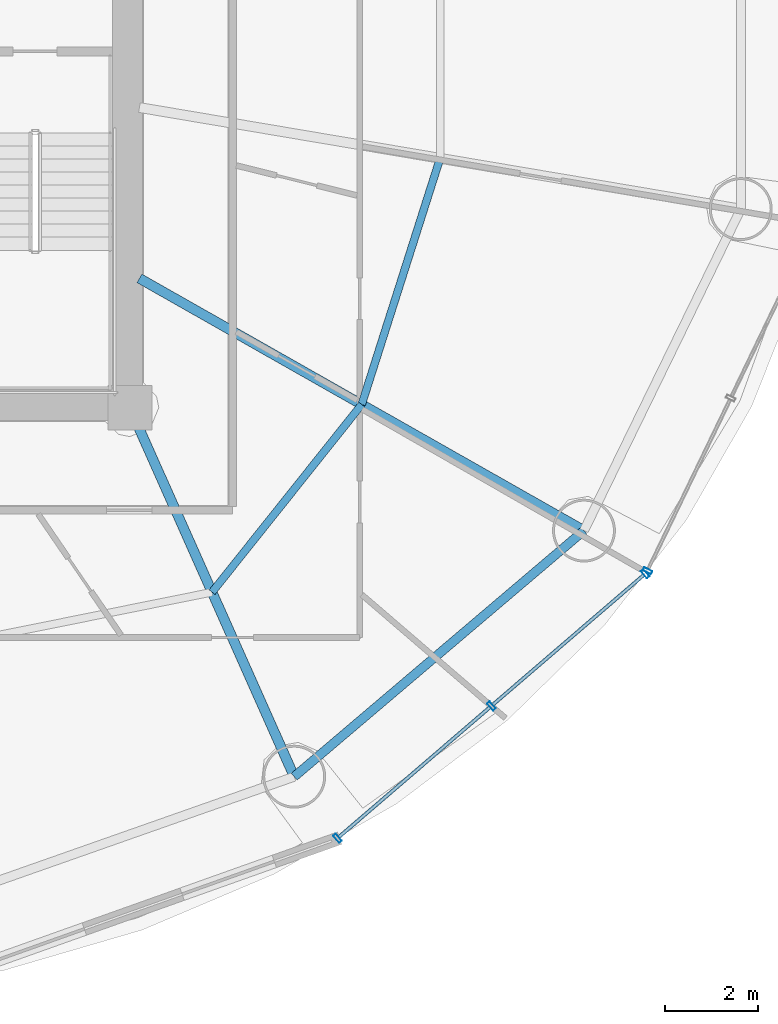
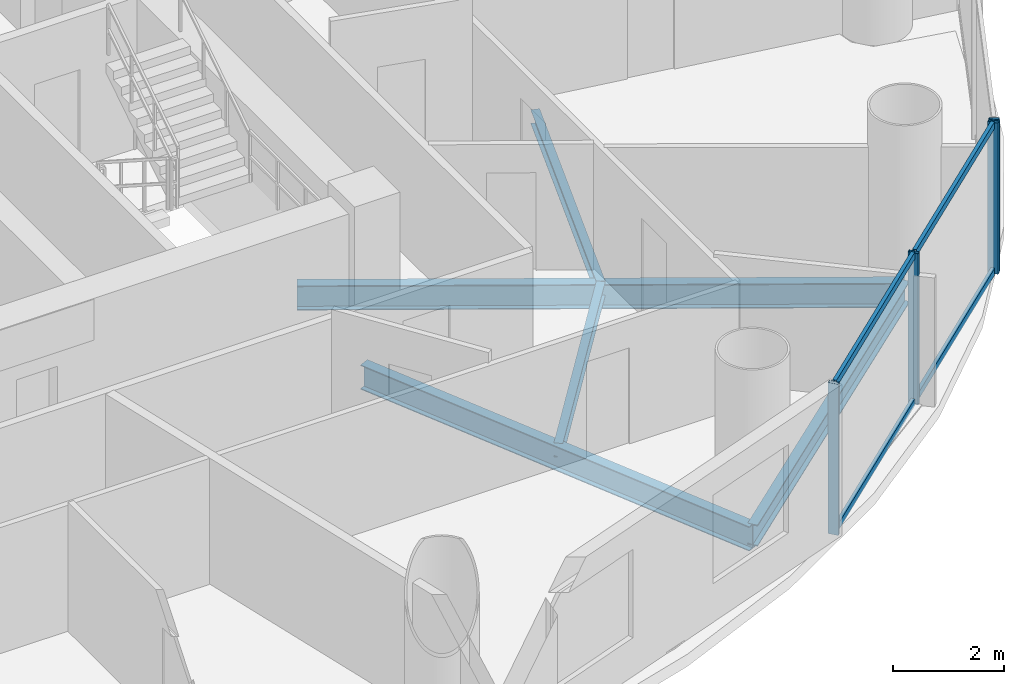
# One storey, part 10 of 26: 8 members, 5 beams, 2 elements without a shape of their own.
"""IFC4 building model written with IfcOpenShell, lengths in metres."""

from ifc_helpers import new_model, si_unit, direction, frame, origin, origin_2d, place, context, subcontext, project, spatial, hollow_rectangle, i_section, extrude, source, transform, mapped, material, material_profile, profile_set, type_object, element, aggregate, save


model = new_model("IFC4")

# Units and contexts
model_context = context("Model", 3, precision=1e-05, world=origin(), true_north=direction((-0.2419218956, 0.970295726276)))
body_context = subcontext(model_context, "Body", "Model", "MODEL_VIEW")
ifc_project = project(units=[si_unit("LENGTHUNIT", "METRE"), si_unit("AREAUNIT", "SQUARE_METRE"), si_unit("VOLUMEUNIT", "CUBIC_METRE"), si_unit("PLANEANGLEUNIT", "RADIAN"), si_unit("MASSUNIT", "GRAM", prefix="KILO")], contexts=[model_context])

# Site, building, storey
site_placement = place(None, origin())
site = spatial("IfcSite", under=ifc_project, at=site_placement, CompositionType="ELEMENT")
building_placement = place(site_placement, origin())
building = spatial("IfcBuilding", under=site, at=building_placement, Name="Cobrevalo Terracotta Tower", CompositionType="ELEMENT")
storey_placement = place(building_placement, frame((0.0, 0.0, 139.0)))
storey = spatial("IfcBuildingStorey", under=building, at=storey_placement, Name="L36", CompositionType="ELEMENT", Elevation=139.0)

# Beams
ifc_material_1 = material(Name="Steel S355", Category="steel")
ifc_material_profile_1 = material_profile(ifc_material_1, i_section(OverallWidth=0.2109375, OverallDepth=0.5390625, WebThickness=0.01171875, FlangeThickness=0.018798828125, at=origin_2d()), Name="W 530x109")
ifc_profile_set_1 = profile_set([ifc_material_profile_1], Name="Steel S355")
beam_type_1 = type_object("IfcBeamType", Name="Structural Beam W 530x109 (Steel S355)", PredefinedType="BEAM", material=ifc_profile_set_1)
beam_1_placement = place(storey_placement, frame((50.528076171875, 10.87744140625, -0.53955078125), z_axis=(-0.406804395691, 0.913515289224, 0.0), x_axis=(-0.913515289224, -0.406804395691, 0.0)))
element("IfcBeam", 1, at=beam_1_placement, inside=storey, type_object=beam_type_1, Name="L36 radial floor girder 14", PredefinedType="BEAM", context=body_context, shape_type="SweptSolid", body=[
    extrude(i_section(OverallWidth=0.2109375, OverallDepth=0.5390625, WebThickness=0.01171875, FlangeThickness=0.018798828125, at=origin_2d()), origin(), (0.0, 0.0, 1.0), 8.672607421875),
])
beam_2_placement = place(storey_placement, frame((56.749755859375, 16.160888671875, -0.53955078125), z_axis=(-0.869743726706, 0.493503647257, 0.0), x_axis=(-0.493503647257, -0.869743726706, 0.0)))
element("IfcBeam", 2, at=beam_2_placement, inside=storey, type_object=beam_type_1, Name="L36 radial floor girder 15", PredefinedType="BEAM", context=body_context, shape_type="SweptSolid", body=[
    extrude(i_section(OverallWidth=0.2109375, OverallDepth=0.5390625, WebThickness=0.01171875, FlangeThickness=0.018798828125, at=origin_2d()), origin(), (0.0, 0.0, 1.0), 10.97412109375),
])
ifc_material_profile_2 = material_profile(ifc_material_1, i_section(OverallWidth=0.1650390625, OverallDepth=0.31005859375, WebThickness=0.005859375, FlangeThickness=0.009765625, at=origin_2d()), Name="W 310x38.7")
ifc_profile_set_2 = profile_set([ifc_material_profile_2], Name="Steel S355")
beam_type_2 = type_object("IfcBeamType", Name="Structural Joist W 310x38.7 (Steel S355)", PredefinedType="JOIST", material=ifc_profile_set_2)
beam_3_placement = place(storey_placement, frame((48.76416015625, 14.838623046875, -0.425048828125), z_axis=(0.623382939397, 0.781916690492, 0.0), x_axis=(-0.781916690492, 0.623382939397, 0.0)))
element("IfcBeam", 3, at=beam_3_placement, inside=storey, type_object=beam_type_2, Name="L36 circumferential secondary floor joist 14", PredefinedType="JOIST", context=body_context, shape_type="SweptSolid", body=[
    extrude(i_section(OverallWidth=0.1650390625, OverallDepth=0.31005859375, WebThickness=0.005859375, FlangeThickness=0.009765625, at=origin_2d()), origin(), (0.0, 0.0, 1.0), 5.154296875),
])
beam_4_placement = place(storey_placement, frame((51.977294921875, 18.868896484375, -0.425048828125), z_axis=(0.303497928386, 0.952832098255, 0.0), x_axis=(-0.952832098255, 0.303497928386, 0.0)))
element("IfcBeam", 4, at=beam_4_placement, inside=storey, type_object=beam_type_2, Name="L36 circumferential secondary floor joist 15", PredefinedType="JOIST", context=body_context, shape_type="SweptSolid", body=[
    extrude(i_section(OverallWidth=0.1650390625, OverallDepth=0.31005859375, WebThickness=0.005859375, FlangeThickness=0.009765625, at=origin_2d()), origin(), (0.0, 0.0, 1.0), 5.54736328125),
])
ifc_material_profile_3 = material_profile(ifc_material_1, i_section(OverallWidth=0.194091796875, OverallDepth=0.468994140625, WebThickness=0.011474609375, FlangeThickness=0.0205078125, at=origin_2d()), Name="W 460x106")
ifc_profile_set_3 = profile_set([ifc_material_profile_3], Name="Steel S355")
beam_type_3 = type_object("IfcBeamType", Name="Structural Spandrel W 460x106 (Steel S355)", PredefinedType="SPANDREL", material=ifc_profile_set_3)
beam_5_placement = place(storey_placement, frame((50.528076171875, 10.87744140625, -0.50439453125), z_axis=(0.762240337798, 0.647294112003, 0.0), x_axis=(-0.647294112003, 0.762240337798, 0.0)))
element("IfcBeam", 5, at=beam_5_placement, inside=storey, type_object=beam_type_3, Name="L36 perimeter ring spandrel 14", PredefinedType="SPANDREL", context=body_context, shape_type="SweptSolid", body=[
    extrude(i_section(OverallWidth=0.194091796875, OverallDepth=0.468994140625, WebThickness=0.011474609375, FlangeThickness=0.0205078125, at=origin_2d()), origin(), (0.0, 0.0, 1.0), 8.162353515625),
])

# Curtain wall, members
ifc_material_2 = material(Name="Anodized aluminium", Category="aluminium")
curtain_wall_type = type_object("IfcCurtainWallType", Name="Mid-tower high-wind unitised curtain wall CW-U2", PredefinedType="NOTDEFINED", material=ifc_material_2)
curtain_wall_1_placement = place(storey_placement, origin())
curtain_wall_1 = element("IfcCurtainWall", 6, at=curtain_wall_1_placement, inside=storey, type_object=curtain_wall_type, Name="L36 curtain wall CW-L36-S14", PredefinedType="NOTDEFINED")
ifc_material_profile_4 = material_profile(ifc_material_2, hollow_rectangle(XDim=0.074951171875, YDim=0.199951171875, WallThickness=0.0048828125, at=origin_2d()), Name="CWM 75x200")
ifc_profile_set_4 = profile_set([ifc_material_profile_4], Name="Anodized aluminium")
member_type_1 = type_object("IfcMemberType", Name="Lower/mid tower unitised mullion 75x200", PredefinedType="MULLION", material=ifc_profile_set_4)
shared_shape_1 = source(origin(), body_context, "Body", "SweptSolid", [
    extrude(hollow_rectangle(XDim=0.074951171875, YDim=0.199951171875, WallThickness=0.0048828125, at=origin_2d()), origin(), (0.0, 0.0, 1.0), 3.330078125),
])
member_1_placement = place(storey_placement, frame((51.45849609375, 9.556396484375, 0.0), z_axis=(0.0, 0.0, 1.0), x_axis=(0.758441546142, 0.65174106905, 0.0)))
member_1 = element("IfcMember", 7, at=member_1_placement, type_object=member_type_1, Name="CW-L36-S14 vertical mullion 01", PredefinedType="MULLION", context=body_context, shape_type="MappedRepresentation", body=[
    mapped(shared_shape_1, transform((0.0, 0.0, 0.0), scale=1.0)),
])
member_2_placement = place(storey_placement, frame((54.762451171875, 12.3955078125, 0.0), z_axis=(0.0, 0.0, 1.0), x_axis=(0.758441546142, 0.65174106905, 0.0)))
member_2 = element("IfcMember", 8, at=member_2_placement, type_object=member_type_1, Name="CW-L36-S14 vertical mullion 02", PredefinedType="MULLION", context=body_context, shape_type="MappedRepresentation", body=[
    mapped(shared_shape_1, transform((0.0, 0.0, 0.0), scale=1.0)),
])
member_3_placement = place(storey_placement, frame((58.066162109375, 15.234619140625, 0.0), z_axis=(0.0, 0.0, 1.0), x_axis=(0.758441546142, 0.65174106905, 0.0)))
member_3 = element("IfcMember", 9, at=member_3_placement, type_object=member_type_1, Name="CW-L36-S14 vertical mullion 03", PredefinedType="MULLION", context=body_context, shape_type="MappedRepresentation", body=[
    mapped(shared_shape_1, transform((0.0, 0.0, 0.0), scale=1.0)),
])

# Curtain wall, member
curtain_wall_2_placement = place(storey_placement, origin())
curtain_wall_2 = element("IfcCurtainWall", 10, at=curtain_wall_2_placement, inside=storey, type_object=curtain_wall_type, Name="L36 curtain wall CW-L36-S15", PredefinedType="NOTDEFINED")
member_4_placement = place(storey_placement, frame((58.114013671875, 15.296875, 0.0), z_axis=(0.0, 0.0, 1.0), x_axis=(0.434209440271, 0.900811945957, 0.0)))
member_4 = element("IfcMember", 11, at=member_4_placement, type_object=member_type_1, Name="CW-L36-S15 vertical mullion 01", PredefinedType="MULLION", context=body_context, shape_type="MappedRepresentation", body=[
    mapped(shared_shape_1, transform((0.0, 0.0, 0.0), scale=1.0)),
])
aggregate(curtain_wall_2, [member_4])

# Member
ifc_material_profile_5 = material_profile(ifc_material_2, hollow_rectangle(XDim=0.074951171875, YDim=0.14990234375, WallThickness=0.00439453125, at=origin_2d()), Name="CWT 75x150")
ifc_profile_set_5 = profile_set([ifc_material_profile_5], Name="Anodized aluminium")
member_type_2 = type_object("IfcMemberType", Name="Tower unitised aluminium transom 75x150", PredefinedType="USERDEFINED", material=ifc_profile_set_5)
shared_shape_2 = source(origin(), body_context, "Body", "SweptSolid", [
    extrude(hollow_rectangle(XDim=0.074951171875, YDim=0.14990234375, WallThickness=0.00439453125, at=origin_2d()), origin(), (0.0, 0.0, 1.0), 4.276123046875),
])
member_5_placement = place(storey_placement, frame((51.48876953125, 9.58251953125, 0.050048828125), z_axis=(0.758417719247, 0.651768795764, 0.0), x_axis=(-0.651768795764, 0.758417719247, 0.0)))
member_5 = element("IfcMember", 12, at=member_5_placement, type_object=member_type_2, Name="CW-L36-S14 transom B01-T1", ObjectType="TRANSOM", PredefinedType="USERDEFINED", context=body_context, shape_type="MappedRepresentation", body=[
    mapped(shared_shape_2, transform((0.0, 0.0, 0.0), scale=1.0)),
])

member_6_placement = place(storey_placement, frame((51.48876953125, 9.58251953125, 3.280029296875), z_axis=(0.758417719247, 0.651768795764, 0.0), x_axis=(-0.651768795764, 0.758417719247, 0.0)))
member_6 = element("IfcMember", 13, at=member_6_placement, type_object=member_type_2, Name="CW-L36-S14 transom B01-T2", ObjectType="TRANSOM", PredefinedType="USERDEFINED", context=body_context, shape_type="MappedRepresentation", body=[
    mapped(shared_shape_2, transform((0.0, 0.0, 0.0), scale=1.0)),
])

member_7_placement = place(storey_placement, frame((54.792724609375, 12.421630859375, 0.050048828125), z_axis=(0.758417719247, 0.651768795764, 0.0), x_axis=(-0.651768795764, 0.758417719247, 0.0)))
member_7 = element("IfcMember", 14, at=member_7_placement, type_object=member_type_2, Name="CW-L36-S14 transom B02-T1", ObjectType="TRANSOM", PredefinedType="USERDEFINED", context=body_context, shape_type="MappedRepresentation", body=[
    mapped(shared_shape_2, transform((0.0, 0.0, 0.0), scale=1.0)),
])

member_8_placement = place(storey_placement, frame((54.792724609375, 12.421630859375, 3.280029296875), z_axis=(0.758417719247, 0.651768795764, 0.0), x_axis=(-0.651768795764, 0.758417719247, 0.0)))
member_8 = element("IfcMember", 15, at=member_8_placement, type_object=member_type_2, Name="CW-L36-S14 transom B02-T2", ObjectType="TRANSOM", PredefinedType="USERDEFINED", context=body_context, shape_type="MappedRepresentation", body=[
    mapped(shared_shape_2, transform((0.0, 0.0, 0.0), scale=1.0)),
])

aggregate(curtain_wall_1, [member_1, member_2, member_3, member_5, member_6, member_7, member_8])

save(model, "model.ifc")
